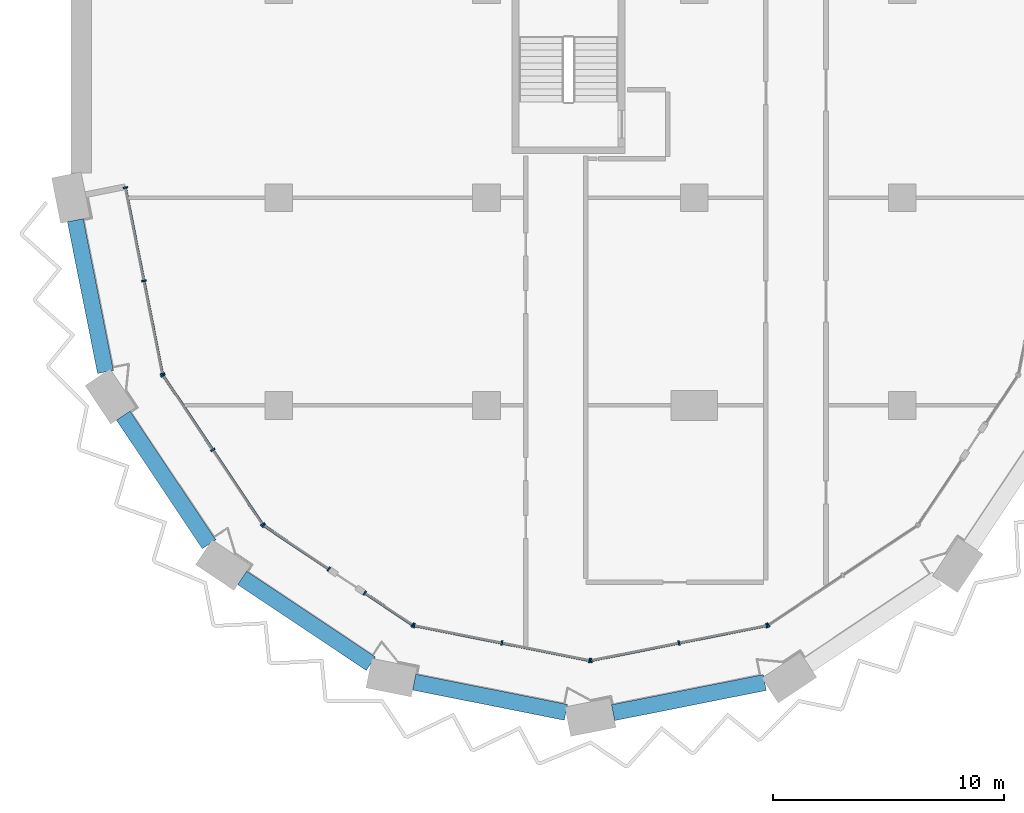
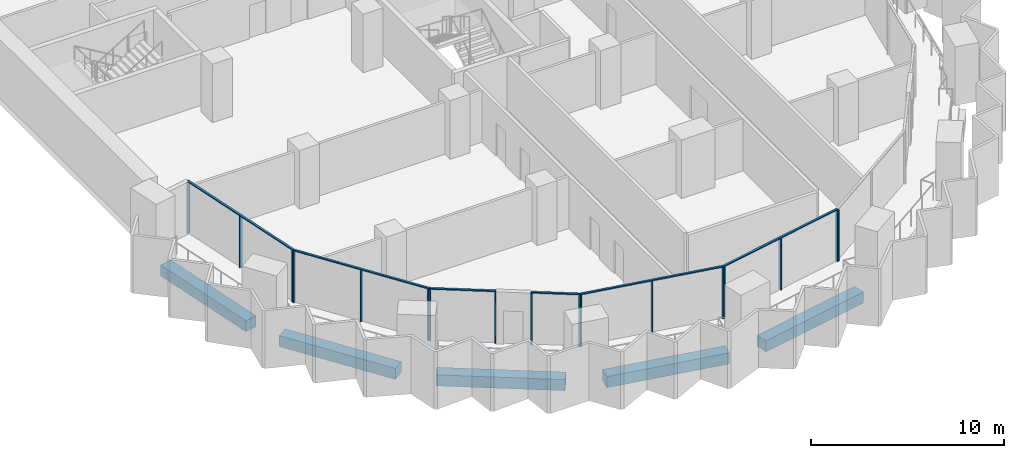
# One storey, part 2 of 23: 23 members, 5 beams, 7 elements without a shape of their own.
"""IFC4 building model written with IfcOpenShell, lengths in metres."""

import ifcopenshell
import ifcopenshell.guid

model = None  # the IFC model being written
_history = None  # IfcOwnerHistory: only IFC2X3 demands one
_inside = {}  # id of a spatial element -> (the spatial element, [elements in it])
_under = {}  # id of a project, library or spatial element -> (it, [spatial elements below it])
_declared = {}  # id of a project -> (the project, [libraries it declares])
_typed = {}  # id of a type object -> (the type object, [elements of that type])
_made_of = {}  # id of a material, layer set ... -> (it, [elements and type objects made of it])


def new_model(schema):
    """Start an empty IFC model of exactly this schema.

    Asked for "IFC4X3", IfcOpenShell would pick the latest addendum, in which some entities
    have other attributes; the version numbers below select the first issue.
    IFC2X3 requires an IfcOwnerHistory on every rooted entity: one is made here for all.
    """
    global model, _history
    if schema == "IFC4X3":
        model = ifcopenshell.file(schema_version=(4, 3, 0, 0))
    else:
        model = ifcopenshell.file(schema=schema)
    _inside.clear()
    _under.clear()
    _declared.clear()
    _typed.clear()
    _made_of.clear()
    _history = None
    if model.schema == "IFC2X3":
        org = make("IfcOrganization", Name="unknown")
        user = make(
            "IfcPersonAndOrganization",
            ThePerson=make("IfcPerson", FamilyName="unknown"),
            TheOrganization=org,
        )
        app = make(
            "IfcApplication",
            ApplicationDeveloper=org,
            Version="unknown",
            ApplicationFullName="unknown",
            ApplicationIdentifier="unknown",
        )
        _history = make(
            "IfcOwnerHistory",
            OwningUser=user,
            OwningApplication=app,
            ChangeAction="ADDED",
            CreationDate=0,
        )
    return model


def make(cls, **values):
    """One entity of the class cls with the attributes given. An attribute that is None is left unset."""
    return model.create_entity(
        cls, **{name: value for name, value in values.items() if value is not None}
    )


def rooted(cls, **values):
    """An entity with a GlobalId (a new one), such as an element, a storey or a relation."""
    return make(cls, GlobalId=ifcopenshell.guid.new(), OwnerHistory=_history, **values)


def si_unit(unit_type, name, prefix=None):
    """IfcSIUnit, for example si_unit("LENGTHUNIT", "METRE", prefix="MILLI")."""
    return make("IfcSIUnit", UnitType=unit_type, Prefix=prefix, Name=name)


def assignment(units):
    """IfcUnitAssignment: the units of a project."""
    return None if units is None else make("IfcUnitAssignment", Units=units)


def point(xyz):
    """IfcCartesianPoint."""
    return None if xyz is None else make("IfcCartesianPoint", Coordinates=xyz)


def direction(xyz):
    """IfcDirection."""
    return None if xyz is None else make("IfcDirection", DirectionRatios=xyz)


def frame(location, z_axis=None, x_axis=None):
    """IfcAxis2Placement3D, a coordinate frame: its origin and axes. An axis left out is left unset."""
    return make(
        "IfcAxis2Placement3D",
        Location=point(location),
        Axis=direction(z_axis),
        RefDirection=direction(x_axis),
    )


def frame_2d(location, x_axis=None):
    """IfcAxis2Placement2D, a coordinate frame in the plane: its origin and x axis."""
    return make(
        "IfcAxis2Placement2D", Location=point(location), RefDirection=direction(x_axis)
    )


def origin():
    """The frame at (0, 0, 0) with its axes left unset."""
    return frame((0.0, 0.0, 0.0))


def origin_2d():
    """The frame at (0, 0) in the plane with its x axis left unset."""
    return frame_2d((0.0, 0.0))


def place(relative_to, where):
    """IfcLocalPlacement: puts the frame where relative to a parent placement (None: the world)."""
    return make(
        "IfcLocalPlacement", PlacementRelTo=relative_to, RelativePlacement=where
    )


def context(
    kind, dimensions, precision=None, world=None, true_north=None, identifier=None
):
    """IfcGeometricRepresentationContext, for example the 3D "Model" context."""
    return make(
        "IfcGeometricRepresentationContext",
        ContextIdentifier=identifier,
        ContextType=kind,
        CoordinateSpaceDimension=dimensions,
        Precision=precision,
        WorldCoordinateSystem=world,
        TrueNorth=true_north,
    )


def subcontext(parent, identifier, kind, view, scale=None):
    """IfcGeometricRepresentationSubContext, for example "Body" below "Model"."""
    return make(
        "IfcGeometricRepresentationSubContext",
        ContextIdentifier=identifier,
        ContextType=kind,
        ParentContext=parent,
        TargetScale=scale,
        TargetView=view,
    )


def project(units=None, contexts=None):
    """IfcProject with its units and contexts."""
    return rooted(
        "IfcProject",
        Name="project",
        RepresentationContexts=contexts,
        UnitsInContext=assignment(units),
    )


def spatial(cls, under=None, at=None, **own):
    """A site, building, storey or space (cls), placed at a placement, below another one or the project."""
    s = rooted(cls, ObjectPlacement=at, **own)
    if under is not None:
        _under.setdefault(under.id(), (under, []))[1].append(s)
    return s


def profile(cls, at=None, kind="AREA", **sizes):
    """A parametric profile (cls). Its sizes go by their IFC names, for example OverallWidth=200.0."""
    return make(cls, ProfileType=kind, Position=at, **sizes)


def rectangle(**sizes):
    """IfcRectangleProfileDef."""
    return profile("IfcRectangleProfileDef", **sizes)


def extrude(swept, where, along, depth):
    """IfcExtrudedAreaSolid: the profile swept, set in the frame where, extruded along a direction by depth."""
    return make(
        "IfcExtrudedAreaSolid",
        SweptArea=swept,
        Position=where,
        ExtrudedDirection=direction(along),
        Depth=depth,
    )


def shape(context_of_items, identifier, shape_type, items):
    """IfcShapeRepresentation: the items that make up one representation, for example the "Body"."""
    return make(
        "IfcShapeRepresentation",
        ContextOfItems=context_of_items,
        RepresentationIdentifier=identifier,
        RepresentationType=shape_type,
        Items=items,
    )


def material(Name=None, Category=None):
    """IfcMaterial."""
    return make("IfcMaterial", Name=Name, Category=Category)


def material_profile(
    of_material, cross_section, Name=None, Category=None, Priority=None
):
    """IfcMaterialProfile: a cross section and its material."""
    return make(
        "IfcMaterialProfile",
        Name=Name,
        Material=of_material,
        Profile=cross_section,
        Priority=Priority,
        Category=Category,
    )


def profile_set(profiles, Name=None, composite=None):
    """IfcMaterialProfileSet."""
    return make(
        "IfcMaterialProfileSet",
        Name=Name,
        MaterialProfiles=profiles,
        CompositeProfile=composite,
    )


def made_of(thing, what):
    """Note that an element or type object is made of a material, layer set ...; save() writes the relation."""
    if what is not None:
        _made_of.setdefault(what.id(), (what, []))[1].append(thing)
    return thing


def type_object(cls, material=None, **own):
    """A type object (cls), such as IfcWallType, which elements share."""
    return made_of(rooted(cls, **own), material)


def element(
    cls,
    number,
    at=None,
    inside=None,
    cuts=None,
    type_object=None,
    material=None,
    context=None,
    identifier="Body",
    shape_type=None,
    held_by="IfcProductDefinitionShape",
    body=None,
    shapes=None,
    **own,
):
    """One element of the class cls, such as IfcWall. Its Tag is "e" and its number.

    at: its placement. inside: the storey or other place that contains it. cuts: it is an
    opening in that element (IfcRelVoidsElement). A single representation is given by context,
    identifier, shape_type and body (its items); several are given by shapes. held_by: the class
    of the entity that holds the representations. save() writes the other relations.
    """
    e = rooted(cls, Tag="e%d" % number, ObjectPlacement=at, **own)
    if body is not None:
        shapes = [shape(context, identifier, shape_type, body)]
    if shapes is not None:
        e.Representation = make(held_by, Representations=shapes)
    if inside is not None:
        _inside.setdefault(inside.id(), (inside, []))[1].append(e)
    if cuts is not None:
        rooted(
            "IfcRelVoidsElement", RelatingBuildingElement=cuts, RelatedOpeningElement=e
        )
    if type_object is not None:
        _typed.setdefault(type_object.id(), (type_object, []))[1].append(e)
    return made_of(e, material)


def aggregate(whole, parts):
    """IfcRelAggregates: a whole, such as a stair, and the parts it consists of."""
    return rooted("IfcRelAggregates", RelatingObject=whole, RelatedObjects=parts)


def save(model, path):
    """Write the relations noted so far, then the file.

    IfcRelAggregates (storeys below a building ...), IfcRelContainedInSpatialStructure (elements
    in a storey), IfcRelDefinesByType, IfcRelAssociatesMaterial and IfcRelDeclares: one each for
    every whole, place, type object, material and project.
    """
    for whole, parts in _under.values():
        aggregate(whole, parts)
    for where, things in _inside.values():
        rooted(
            "IfcRelContainedInSpatialStructure",
            RelatedElements=things,
            RelatingStructure=where,
        )
    for kind, things in _typed.values():
        rooted("IfcRelDefinesByType", RelatedObjects=things, RelatingType=kind)
    for what, things in _made_of.values():
        rooted("IfcRelAssociatesMaterial", RelatedObjects=things, RelatingMaterial=what)
    for by, libraries in _declared.values():
        rooted("IfcRelDeclares", RelatingContext=by, RelatedDefinitions=libraries)
    model.write(path)


model = new_model("IFC4")

# Units and contexts
model_context = context("Model", 3, precision=1e-05, world=origin(), true_north=direction((0.0, 1.0)))
body_context = subcontext(model_context, "Body", "Model", "MODEL_VIEW")
ifc_project = project(units=[si_unit("LENGTHUNIT", "METRE"), si_unit("AREAUNIT", "SQUARE_METRE"), si_unit("VOLUMEUNIT", "CUBIC_METRE"), si_unit("PLANEANGLEUNIT", "RADIAN"), si_unit("MASSUNIT", "GRAM", prefix="KILO")], contexts=[model_context])

# Site, building, storey
site_placement = place(None, origin())
site = spatial("IfcSite", under=ifc_project, at=site_placement, CompositionType="ELEMENT")
building_placement = place(site_placement, origin())
building = spatial("IfcBuilding", under=site, at=building_placement, Name="Hunhe Ridgeline Campus", CompositionType="ELEMENT")
storey_placement = place(building_placement, frame((0.0, 0.0, 152.300048828125)))
storey = spatial("IfcBuildingStorey", under=building, at=storey_placement, Name="L38", CompositionType="ELEMENT", Elevation=152.300048828125)

# Curtain wall, members
ifc_material_1 = material(Name="Aluminium 6063", Category="aluminium")
curtain_wall_type = type_object("IfcCurtainWallType", Name="Curtain wall CW-5", PredefinedType="NOTDEFINED", material=ifc_material_1)
curtain_wall_1_placement = place(storey_placement, origin())
curtain_wall_1 = element("IfcCurtainWall", 1, at=curtain_wall_1_placement, inside=storey, type_object=curtain_wall_type, Name="Curtain wall 01", PredefinedType="NOTDEFINED")
ifc_material_profile_1 = material_profile(ifc_material_1, rectangle(XDim=0.199951171875, YDim=0.070068359375, at=origin_2d()))
ifc_profile_set_1 = profile_set([ifc_material_profile_1], Name="Aluminium 6063")
member_type_1 = type_object("IfcMemberType", Name="CW-5 aluminium mullion", PredefinedType="MULLION", material=ifc_profile_set_1)
member_1_placement = place(storey_placement, frame((2.361572265625, 27.434326171875, 0.0), z_axis=(0.0, 0.0, 1.0), x_axis=(0.980784280831, 0.195095347137, 0.0)))
member_1 = element("IfcMember", 2, at=member_1_placement, type_object=member_type_1, Name="CW-5 mullion 1", PredefinedType="MULLION", context=body_context, shape_type="SweptSolid", body=[
    extrude(rectangle(XDim=0.199951171875, YDim=0.070068359375, at=origin_2d()), origin(), (0.0, 0.0, 1.0), 3.22998046875),
])
member_2_placement = place(storey_placement, frame((3.16455078125, 23.3974609375, 0.0), z_axis=(0.0, 0.0, 1.0), x_axis=(0.980784280831, 0.195095347137, 0.0)))
member_2 = element("IfcMember", 3, at=member_2_placement, type_object=member_type_1, Name="CW-5 mullion 2", PredefinedType="MULLION", context=body_context, shape_type="SweptSolid", body=[
    extrude(rectangle(XDim=0.199951171875, YDim=0.070068359375, at=origin_2d()), origin(), (0.0, 0.0, 1.0), 3.22998046875),
])
member_3_placement = place(storey_placement, frame((3.967529296875, 19.36083984375, 0.0), z_axis=(0.0, 0.0, 1.0), x_axis=(0.980784280831, 0.195095347137, 0.0)))
member_3 = element("IfcMember", 4, at=member_3_placement, type_object=member_type_1, Name="CW-5 mullion 3", PredefinedType="MULLION", context=body_context, shape_type="SweptSolid", body=[
    extrude(rectangle(XDim=0.199951171875, YDim=0.070068359375, at=origin_2d()), origin(), (0.0, 0.0, 1.0), 3.22998046875),
])

curtain_wall_2_placement = place(storey_placement, origin())
curtain_wall_2 = element("IfcCurtainWall", 5, at=curtain_wall_2_placement, inside=storey, type_object=curtain_wall_type, Name="Curtain wall 02", PredefinedType="NOTDEFINED")
member_4_placement = place(storey_placement, frame((3.993896484375, 19.29736328125, 0.0), z_axis=(0.0, 0.0, 1.0), x_axis=(0.831469584522, 0.555570274596, 0.0)))
member_4 = element("IfcMember", 6, at=member_4_placement, type_object=member_type_1, Name="CW-5 mullion 1", PredefinedType="MULLION", context=body_context, shape_type="SweptSolid", body=[
    extrude(rectangle(XDim=0.199951171875, YDim=0.070068359375, at=origin_2d()), origin(), (0.0, 0.0, 1.0), 3.22998046875),
])
member_5_placement = place(storey_placement, frame((6.147705078125, 16.07373046875, 0.0), z_axis=(0.0, 0.0, 1.0), x_axis=(0.831469584522, 0.555570274596, 0.0)))
member_5 = element("IfcMember", 7, at=member_5_placement, type_object=member_type_1, Name="CW-5 mullion 2", PredefinedType="MULLION", context=body_context, shape_type="SweptSolid", body=[
    extrude(rectangle(XDim=0.199951171875, YDim=0.070068359375, at=origin_2d()), origin(), (0.0, 0.0, 1.0), 3.22998046875),
])
member_6_placement = place(storey_placement, frame((8.3017578125, 12.850341796875, 0.0), z_axis=(0.0, 0.0, 1.0), x_axis=(0.831469584522, 0.555570274596, 0.0)))
member_6 = element("IfcMember", 8, at=member_6_placement, type_object=member_type_1, Name="CW-5 mullion 3", PredefinedType="MULLION", context=body_context, shape_type="SweptSolid", body=[
    extrude(rectangle(XDim=0.199951171875, YDim=0.070068359375, at=origin_2d()), origin(), (0.0, 0.0, 1.0), 3.22998046875),
])

curtain_wall_3_placement = place(storey_placement, origin())
curtain_wall_3 = element("IfcCurtainWall", 9, at=curtain_wall_3_placement, inside=storey, type_object=curtain_wall_type, Name="Curtain wall 03", PredefinedType="NOTDEFINED")
member_7_placement = place(storey_placement, frame((8.350341796875, 12.8017578125, 0.0), z_axis=(0.0, 0.0, 1.0), x_axis=(0.555570257501, 0.831469595944, 0.0)))
member_7 = element("IfcMember", 10, at=member_7_placement, type_object=member_type_1, Name="CW-5 mullion 1", PredefinedType="MULLION", context=body_context, shape_type="SweptSolid", body=[
    extrude(rectangle(XDim=0.199951171875, YDim=0.070068359375, at=origin_2d()), origin(), (0.0, 0.0, 1.0), 3.22998046875),
])
member_8_placement = place(storey_placement, frame((11.17041015625, 10.917236328125, 0.0), z_axis=(0.0, 0.0, 1.0), x_axis=(0.555570257501, 0.831469595944, 0.0)))
member_8 = element("IfcMember", 11, at=member_8_placement, type_object=member_type_1, Name="CW-5 mullion 2", PredefinedType="MULLION", context=body_context, shape_type="SweptSolid", body=[
    extrude(rectangle(XDim=0.199951171875, YDim=0.070068359375, at=origin_2d()), origin(), (0.0, 0.0, 1.0), 3.22998046875),
])

curtain_wall_4_placement = place(storey_placement, origin())
curtain_wall_4 = element("IfcCurtainWall", 12, at=curtain_wall_4_placement, inside=storey, type_object=curtain_wall_type, Name="Curtain wall 04", PredefinedType="NOTDEFINED")
member_9_placement = place(storey_placement, frame((12.725341796875, 9.87841796875, 0.0), z_axis=(0.0, 0.0, 1.0), x_axis=(0.555570385598, 0.831469510353, 0.0)))
member_9 = element("IfcMember", 13, at=member_9_placement, type_object=member_type_1, Name="CW-5 mullion 1", PredefinedType="MULLION", context=body_context, shape_type="SweptSolid", body=[
    extrude(rectangle(XDim=0.199951171875, YDim=0.070068359375, at=origin_2d()), origin(), (0.0, 0.0, 1.0), 3.22998046875),
])
member_10_placement = place(storey_placement, frame((14.79736328125, 8.493896484375, 0.0), z_axis=(0.0, 0.0, 1.0), x_axis=(0.555570385598, 0.831469510353, 0.0)))
member_10 = element("IfcMember", 14, at=member_10_placement, type_object=member_type_1, Name="CW-5 mullion 2", PredefinedType="MULLION", context=body_context, shape_type="SweptSolid", body=[
    extrude(rectangle(XDim=0.199951171875, YDim=0.070068359375, at=origin_2d()), origin(), (0.0, 0.0, 1.0), 3.22998046875),
])

curtain_wall_5_placement = place(storey_placement, origin())
curtain_wall_5 = element("IfcCurtainWall", 15, at=curtain_wall_5_placement, inside=storey, type_object=curtain_wall_type, Name="Curtain wall 05", PredefinedType="NOTDEFINED")
member_11_placement = place(storey_placement, frame((14.86083984375, 8.467529296875, 0.0), z_axis=(0.0, 0.0, 1.0), x_axis=(0.195090347539, 0.980785275326, 0.0)))
member_11 = element("IfcMember", 16, at=member_11_placement, type_object=member_type_1, Name="CW-5 mullion 1", PredefinedType="MULLION", context=body_context, shape_type="SweptSolid", body=[
    extrude(rectangle(XDim=0.199951171875, YDim=0.070068359375, at=origin_2d()), origin(), (0.0, 0.0, 1.0), 3.22998046875),
])
member_12_placement = place(storey_placement, frame((18.663330078125, 7.711181640625, 0.0), z_axis=(0.0, 0.0, 1.0), x_axis=(0.195090347539, 0.980785275326, 0.0)))
member_12 = element("IfcMember", 17, at=member_12_placement, type_object=member_type_1, Name="CW-5 mullion 2", PredefinedType="MULLION", context=body_context, shape_type="SweptSolid", body=[
    extrude(rectangle(XDim=0.199951171875, YDim=0.070068359375, at=origin_2d()), origin(), (0.0, 0.0, 1.0), 3.22998046875),
])
member_13_placement = place(storey_placement, frame((22.465576171875, 6.954833984375, 0.0), z_axis=(0.0, 0.0, 1.0), x_axis=(0.195090347539, 0.980785275326, 0.0)))
member_13 = element("IfcMember", 18, at=member_13_placement, type_object=member_type_1, Name="CW-5 mullion 3", PredefinedType="MULLION", context=body_context, shape_type="SweptSolid", body=[
    extrude(rectangle(XDim=0.199951171875, YDim=0.070068359375, at=origin_2d()), origin(), (0.0, 0.0, 1.0), 3.22998046875),
])

curtain_wall_6_placement = place(storey_placement, origin())
curtain_wall_6 = element("IfcCurtainWall", 19, at=curtain_wall_6_placement, inside=storey, type_object=curtain_wall_type, Name="Curtain wall 06", PredefinedType="NOTDEFINED")
member_14_placement = place(storey_placement, frame((22.534423828125, 6.954833984375, 0.0), z_axis=(0.0, 0.0, 1.0), x_axis=(-0.195090347539, 0.980785275326, 0.0)))
member_14 = element("IfcMember", 20, at=member_14_placement, type_object=member_type_1, Name="CW-5 mullion 1", PredefinedType="MULLION", context=body_context, shape_type="SweptSolid", body=[
    extrude(rectangle(XDim=0.199951171875, YDim=0.070068359375, at=origin_2d()), origin(), (0.0, 0.0, 1.0), 3.22998046875),
])
member_15_placement = place(storey_placement, frame((26.336669921875, 7.711181640625, 0.0), z_axis=(0.0, 0.0, 1.0), x_axis=(-0.195090347539, 0.980785275326, 0.0)))
member_15 = element("IfcMember", 21, at=member_15_placement, type_object=member_type_1, Name="CW-5 mullion 2", PredefinedType="MULLION", context=body_context, shape_type="SweptSolid", body=[
    extrude(rectangle(XDim=0.199951171875, YDim=0.070068359375, at=origin_2d()), origin(), (0.0, 0.0, 1.0), 3.22998046875),
])
member_16_placement = place(storey_placement, frame((30.13916015625, 8.467529296875, 0.0), z_axis=(0.0, 0.0, 1.0), x_axis=(-0.195090347539, 0.980785275326, 0.0)))
member_16 = element("IfcMember", 22, at=member_16_placement, type_object=member_type_1, Name="CW-5 mullion 3", PredefinedType="MULLION", context=body_context, shape_type="SweptSolid", body=[
    extrude(rectangle(XDim=0.199951171875, YDim=0.070068359375, at=origin_2d()), origin(), (0.0, 0.0, 1.0), 3.22998046875),
])

# Curtain wall, member
curtain_wall_7_placement = place(storey_placement, origin())
curtain_wall_7 = element("IfcCurtainWall", 23, at=curtain_wall_7_placement, inside=storey, type_object=curtain_wall_type, Name="Curtain wall 07", PredefinedType="NOTDEFINED")
member_17_placement = place(storey_placement, frame((30.20263671875, 8.493896484375, 0.0), z_axis=(0.0, 0.0, 1.0), x_axis=(-0.555570274596, 0.831469584522, 0.0)))
member_17 = element("IfcMember", 24, at=member_17_placement, type_object=member_type_1, Name="CW-5 mullion 1", PredefinedType="MULLION", context=body_context, shape_type="SweptSolid", body=[
    extrude(rectangle(XDim=0.199951171875, YDim=0.070068359375, at=origin_2d()), origin(), (0.0, 0.0, 1.0), 3.22998046875),
])
aggregate(curtain_wall_7, [member_17])

# Member
ifc_material_profile_2 = material_profile(ifc_material_1, rectangle(XDim=0.1201171875, YDim=0.070068359375, at=origin_2d()))
ifc_profile_set_2 = profile_set([ifc_material_profile_2], Name="Aluminium 6063")
member_type_2 = type_object("IfcMemberType", Name="CW-5 aluminium transom", PredefinedType="USERDEFINED", material=ifc_profile_set_2)
member_18_placement = place(storey_placement, frame((2.354736328125, 27.46875, 3.264892578125), z_axis=(0.195092405068, -0.980784866056, 0.0), x_axis=(0.980784866056, 0.195092405068, 0.0)))
member_18 = element("IfcMember", 25, at=member_18_placement, type_object=member_type_2, Name="CW-5 transom 1", ObjectType="TRANSOM", PredefinedType="USERDEFINED", context=body_context, shape_type="SweptSolid", body=[
    extrude(rectangle(XDim=0.1201171875, YDim=0.070068359375, at=origin_2d()), origin(), (0.0, 0.0, 1.0), 8.3017578125),
])

aggregate(curtain_wall_1, [member_18, member_1, member_2, member_3])

member_19_placement = place(storey_placement, frame((3.974365234375, 19.326416015625, 3.264892578125), z_axis=(0.5555640203, -0.831473763475, 0.0), x_axis=(0.831473763475, 0.5555640203, 0.0)))
member_19 = element("IfcMember", 26, at=member_19_placement, type_object=member_type_2, Name="CW-5 transom 1", ObjectType="TRANSOM", PredefinedType="USERDEFINED", context=body_context, shape_type="SweptSolid", body=[
    extrude(rectangle(XDim=0.1201171875, YDim=0.070068359375, at=origin_2d()), origin(), (0.0, 0.0, 1.0), 7.823974609375),
])

aggregate(curtain_wall_2, [member_19, member_4, member_5, member_6])

member_20_placement = place(storey_placement, frame((8.321044921875, 12.821044921875, 3.264892578125), z_axis=(0.831485714606, -0.555546133463, 0.0), x_axis=(0.555546133463, 0.831485714606, 0.0)))
member_20 = element("IfcMember", 27, at=member_20_placement, type_object=member_type_2, Name="CW-5 transom 1", ObjectType="TRANSOM", PredefinedType="USERDEFINED", context=body_context, shape_type="SweptSolid", body=[
    extrude(rectangle(XDim=0.1201171875, YDim=0.070068359375, at=origin_2d()), origin(), (0.0, 0.0, 1.0), 3.462158203125),
])

aggregate(curtain_wall_3, [member_20, member_7, member_8])

member_21_placement = place(storey_placement, frame((12.6962890625, 9.897705078125, 3.264892578125), z_axis=(0.831463388334, -0.555579547735, 0.0), x_axis=(0.555579547735, 0.831463388334, 0.0)))
member_21 = element("IfcMember", 28, at=member_21_placement, type_object=member_type_2, Name="CW-5 transom 1", ObjectType="TRANSOM", PredefinedType="USERDEFINED", context=body_context, shape_type="SweptSolid", body=[
    extrude(rectangle(XDim=0.1201171875, YDim=0.070068359375, at=origin_2d()), origin(), (0.0, 0.0, 1.0), 2.56201171875),
])

aggregate(curtain_wall_4, [member_21, member_9, member_10])

member_22_placement = place(storey_placement, frame((14.826416015625, 8.474365234375, 3.264892578125), z_axis=(0.980785367689, -0.195089883198, 0.0), x_axis=(0.195089883198, 0.980785367689, 0.0)))
member_22 = element("IfcMember", 29, at=member_22_placement, type_object=member_type_2, Name="CW-5 transom 1", ObjectType="TRANSOM", PredefinedType="USERDEFINED", context=body_context, shape_type="SweptSolid", body=[
    extrude(rectangle(XDim=0.1201171875, YDim=0.070068359375, at=origin_2d()), origin(), (0.0, 0.0, 1.0), 7.823974609375),
])

aggregate(curtain_wall_5, [member_22, member_11, member_12, member_13])

member_23_placement = place(storey_placement, frame((22.5, 6.947998046875, 3.264892578125), z_axis=(0.980785367689, 0.195089883198, 0.0), x_axis=(-0.195089883198, 0.980785367689, 0.0)))
member_23 = element("IfcMember", 30, at=member_23_placement, type_object=member_type_2, Name="CW-5 transom 1", ObjectType="TRANSOM", PredefinedType="USERDEFINED", context=body_context, shape_type="SweptSolid", body=[
    extrude(rectangle(XDim=0.1201171875, YDim=0.070068359375, at=origin_2d()), origin(), (0.0, 0.0, 1.0), 7.823974609375),
])

aggregate(curtain_wall_6, [member_23, member_14, member_15, member_16])

# Beams
ifc_material_2 = material(Name="Concrete C60", Category="concrete")
ifc_material_profile_3 = material_profile(ifc_material_2, rectangle(XDim=0.699951171875, YDim=0.699951171875, at=origin_2d()))
ifc_profile_set_3 = profile_set([ifc_material_profile_3], Name="Concrete C60")
beam_type = type_object("IfcBeamType", Name="RC spandrel beam 700x700 Concrete C60", PredefinedType="SPANDREL", material=ifc_profile_set_3)
for number, where, z_axis, x_axis, name in (
    (31, (0.195068359375, 26.019287109375, -0.60009765625), (0.195078418929, -0.980787647999, 0.0), (0.980787647999, 0.195078418929, 0.0), "Spandrel beam B2-1 L38"),
    (32, (2.268310546875, 17.55810546875, -0.60009765625), (0.555566447474, -0.831472141711, 0.0), (0.831472141711, 0.555566447474, 0.0), "Spandrel beam B2-2 L38"),
    (33, (7.421630859375, 10.534423828125, -0.60009765625), (0.831472141711, -0.555566447474, 0.0), (0.555566447474, 0.831472141711, 0.0), "Spandrel beam B2-3 L38"),
    (34, (14.870361328125, 6.017578125, -0.60009765625), (0.980787647999, -0.195078418929, 0.0), (0.195078418929, 0.980787647999, 0.0), "Spandrel beam B2-4 L38"),
    (35, (23.480712890625, 4.695068359375, -0.60009765625), (0.980787647999, 0.195078418929, 0.0), (-0.195078418929, 0.980787647999, 0.0), "Spandrel beam B2-5 L38"),
):
    element("IfcBeam", number, at=place(storey_placement, frame(where, z_axis=z_axis, x_axis=x_axis)), inside=storey, type_object=beam_type, Name=name, PredefinedType="SPANDREL", context=body_context, shape_type="SweptSolid", body=[
        extrude(rectangle(XDim=0.699951171875, YDim=0.699951171875, at=origin_2d()), origin(), (0.0, 0.0, 1.0), 6.69677734375),
    ])

save(model, "model.ifc")
